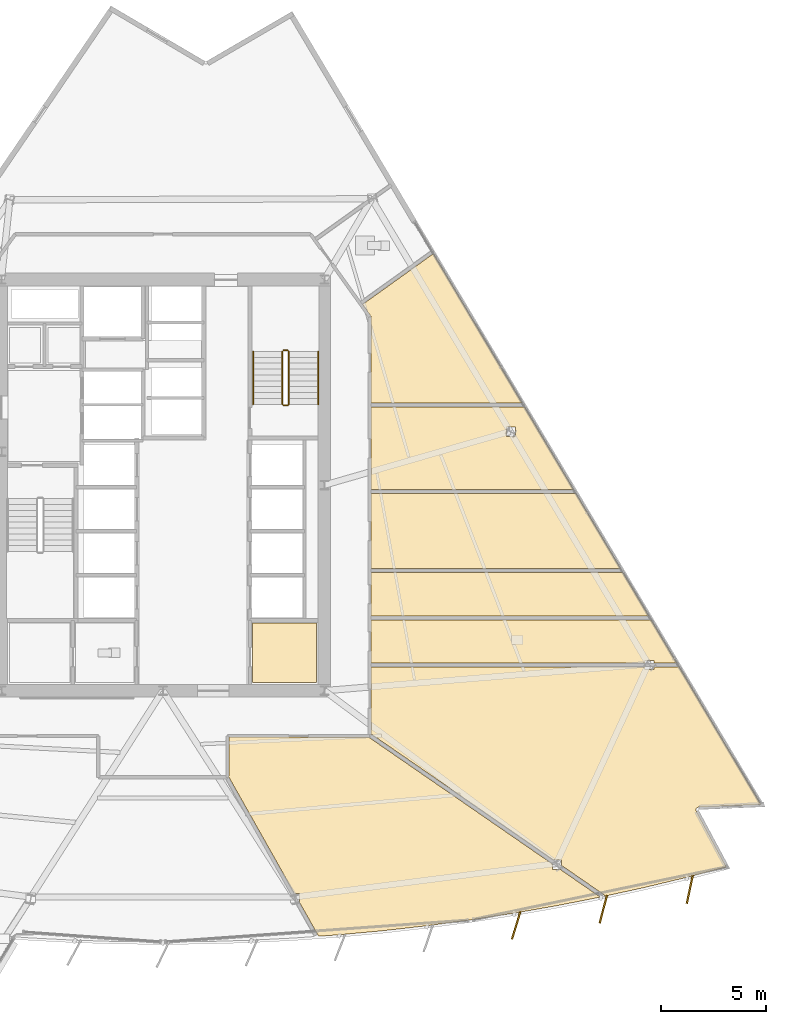
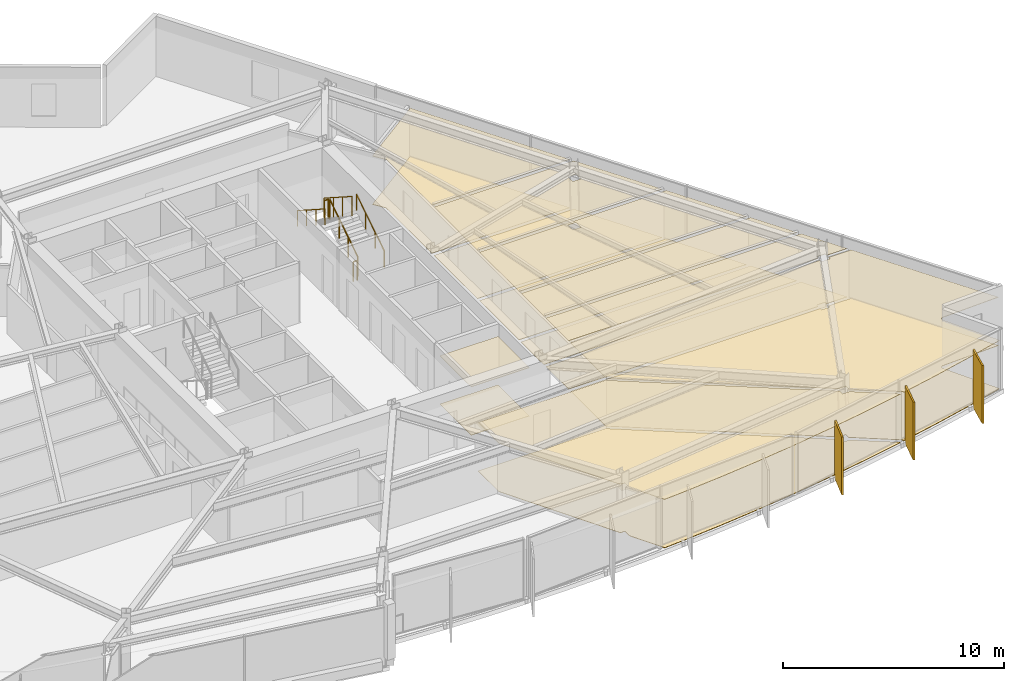
# One storey, part 13 of 15: 16 coverings, 6 railings, 3 shading devices.
"""IFC4 building model written with IfcOpenShell, lengths in metres."""

import ifcopenshell
import ifcopenshell.guid

model = None  # the IFC model being written
_history = None  # IfcOwnerHistory: only IFC2X3 demands one
_inside = {}  # id of a spatial element -> (the spatial element, [elements in it])
_under = {}  # id of a project, library or spatial element -> (it, [spatial elements below it])
_declared = {}  # id of a project -> (the project, [libraries it declares])
_typed = {}  # id of a type object -> (the type object, [elements of that type])
_made_of = {}  # id of a material, layer set ... -> (it, [elements and type objects made of it])


def new_model(schema):
    """Start an empty IFC model of exactly this schema.

    Asked for "IFC4X3", IfcOpenShell would pick the latest addendum, in which some entities
    have other attributes; the version numbers below select the first issue.
    IFC2X3 requires an IfcOwnerHistory on every rooted entity: one is made here for all.
    """
    global model, _history
    if schema == "IFC4X3":
        model = ifcopenshell.file(schema_version=(4, 3, 0, 0))
    else:
        model = ifcopenshell.file(schema=schema)
    _inside.clear()
    _under.clear()
    _declared.clear()
    _typed.clear()
    _made_of.clear()
    _history = None
    if model.schema == "IFC2X3":
        org = make("IfcOrganization", Name="unknown")
        user = make(
            "IfcPersonAndOrganization",
            ThePerson=make("IfcPerson", FamilyName="unknown"),
            TheOrganization=org,
        )
        app = make(
            "IfcApplication",
            ApplicationDeveloper=org,
            Version="unknown",
            ApplicationFullName="unknown",
            ApplicationIdentifier="unknown",
        )
        _history = make(
            "IfcOwnerHistory",
            OwningUser=user,
            OwningApplication=app,
            ChangeAction="ADDED",
            CreationDate=0,
        )
    return model


def make(cls, **values):
    """One entity of the class cls with the attributes given. An attribute that is None is left unset."""
    return model.create_entity(
        cls, **{name: value for name, value in values.items() if value is not None}
    )


def rooted(cls, **values):
    """An entity with a GlobalId (a new one), such as an element, a storey or a relation."""
    return make(cls, GlobalId=ifcopenshell.guid.new(), OwnerHistory=_history, **values)


def si_unit(unit_type, name, prefix=None):
    """IfcSIUnit, for example si_unit("LENGTHUNIT", "METRE", prefix="MILLI")."""
    return make("IfcSIUnit", UnitType=unit_type, Prefix=prefix, Name=name)


def assignment(units):
    """IfcUnitAssignment: the units of a project."""
    return None if units is None else make("IfcUnitAssignment", Units=units)


def point(xyz):
    """IfcCartesianPoint."""
    return None if xyz is None else make("IfcCartesianPoint", Coordinates=xyz)


def direction(xyz):
    """IfcDirection."""
    return None if xyz is None else make("IfcDirection", DirectionRatios=xyz)


def frame(location, z_axis=None, x_axis=None):
    """IfcAxis2Placement3D, a coordinate frame: its origin and axes. An axis left out is left unset."""
    return make(
        "IfcAxis2Placement3D",
        Location=point(location),
        Axis=direction(z_axis),
        RefDirection=direction(x_axis),
    )


def frame_2d(location, x_axis=None):
    """IfcAxis2Placement2D, a coordinate frame in the plane: its origin and x axis."""
    return make(
        "IfcAxis2Placement2D", Location=point(location), RefDirection=direction(x_axis)
    )


def origin():
    """The frame at (0, 0, 0) with its axes left unset."""
    return frame((0.0, 0.0, 0.0))


def origin_2d():
    """The frame at (0, 0) in the plane with its x axis left unset."""
    return frame_2d((0.0, 0.0))


def place(relative_to, where):
    """IfcLocalPlacement: puts the frame where relative to a parent placement (None: the world)."""
    return make(
        "IfcLocalPlacement", PlacementRelTo=relative_to, RelativePlacement=where
    )


def context(
    kind, dimensions, precision=None, world=None, true_north=None, identifier=None
):
    """IfcGeometricRepresentationContext, for example the 3D "Model" context."""
    return make(
        "IfcGeometricRepresentationContext",
        ContextIdentifier=identifier,
        ContextType=kind,
        CoordinateSpaceDimension=dimensions,
        Precision=precision,
        WorldCoordinateSystem=world,
        TrueNorth=true_north,
    )


def subcontext(parent, identifier, kind, view, scale=None):
    """IfcGeometricRepresentationSubContext, for example "Body" below "Model"."""
    return make(
        "IfcGeometricRepresentationSubContext",
        ContextIdentifier=identifier,
        ContextType=kind,
        ParentContext=parent,
        TargetScale=scale,
        TargetView=view,
    )


def project(units=None, contexts=None):
    """IfcProject with its units and contexts."""
    return rooted(
        "IfcProject",
        Name="project",
        RepresentationContexts=contexts,
        UnitsInContext=assignment(units),
    )


def spatial(cls, under=None, at=None, **own):
    """A site, building, storey or space (cls), placed at a placement, below another one or the project."""
    s = rooted(cls, ObjectPlacement=at, **own)
    if under is not None:
        _under.setdefault(under.id(), (under, []))[1].append(s)
    return s


def polyline(points):
    """IfcPolyline through the points."""
    return make("IfcPolyline", Points=[point(p) for p in points])


def profile(cls, at=None, kind="AREA", **sizes):
    """A parametric profile (cls). Its sizes go by their IFC names, for example OverallWidth=200.0."""
    return make(cls, ProfileType=kind, Position=at, **sizes)


def rectangle(**sizes):
    """IfcRectangleProfileDef."""
    return profile("IfcRectangleProfileDef", **sizes)


def circle(**sizes):
    """IfcCircleProfileDef."""
    return profile("IfcCircleProfileDef", **sizes)


def outline(outer, holes=None, kind="AREA"):
    """IfcArbitraryClosedProfileDef: a profile drawn as a closed curve; with holes, ...WithVoids."""
    if holes is None:
        return make("IfcArbitraryClosedProfileDef", ProfileType=kind, OuterCurve=outer)
    return make(
        "IfcArbitraryProfileDefWithVoids",
        ProfileType=kind,
        OuterCurve=outer,
        InnerCurves=holes,
    )


def extrude(swept, where, along, depth):
    """IfcExtrudedAreaSolid: the profile swept, set in the frame where, extruded along a direction by depth."""
    return make(
        "IfcExtrudedAreaSolid",
        SweptArea=swept,
        Position=where,
        ExtrudedDirection=direction(along),
        Depth=depth,
    )


def shape(context_of_items, identifier, shape_type, items):
    """IfcShapeRepresentation: the items that make up one representation, for example the "Body"."""
    return make(
        "IfcShapeRepresentation",
        ContextOfItems=context_of_items,
        RepresentationIdentifier=identifier,
        RepresentationType=shape_type,
        Items=items,
    )


def material(Name=None, Category=None):
    """IfcMaterial."""
    return make("IfcMaterial", Name=Name, Category=Category)


def layer(
    of_material, thickness, ventilated=None, Name=None, Category=None, Priority=None
):
    """IfcMaterialLayer: one layer of a wall or slab, of a material (None: an air gap)."""
    return make(
        "IfcMaterialLayer",
        Material=of_material,
        LayerThickness=thickness,
        IsVentilated=ventilated,
        Name=Name,
        Category=Category,
        Priority=Priority,
    )


def layer_set(layers, Name=None):
    """IfcMaterialLayerSet."""
    return make("IfcMaterialLayerSet", MaterialLayers=layers, LayerSetName=Name)


def made_of(thing, what):
    """Note that an element or type object is made of a material, layer set ...; save() writes the relation."""
    if what is not None:
        _made_of.setdefault(what.id(), (what, []))[1].append(thing)
    return thing


def type_object(cls, material=None, **own):
    """A type object (cls), such as IfcWallType, which elements share."""
    return made_of(rooted(cls, **own), material)


def element(
    cls,
    number,
    at=None,
    inside=None,
    cuts=None,
    type_object=None,
    material=None,
    context=None,
    identifier="Body",
    shape_type=None,
    held_by="IfcProductDefinitionShape",
    body=None,
    shapes=None,
    **own,
):
    """One element of the class cls, such as IfcWall. Its Tag is "e" and its number.

    at: its placement. inside: the storey or other place that contains it. cuts: it is an
    opening in that element (IfcRelVoidsElement). A single representation is given by context,
    identifier, shape_type and body (its items); several are given by shapes. held_by: the class
    of the entity that holds the representations. save() writes the other relations.
    """
    e = rooted(cls, Tag="e%d" % number, ObjectPlacement=at, **own)
    if body is not None:
        shapes = [shape(context, identifier, shape_type, body)]
    if shapes is not None:
        e.Representation = make(held_by, Representations=shapes)
    if inside is not None:
        _inside.setdefault(inside.id(), (inside, []))[1].append(e)
    if cuts is not None:
        rooted(
            "IfcRelVoidsElement", RelatingBuildingElement=cuts, RelatedOpeningElement=e
        )
    if type_object is not None:
        _typed.setdefault(type_object.id(), (type_object, []))[1].append(e)
    return made_of(e, material)


def aggregate(whole, parts):
    """IfcRelAggregates: a whole, such as a stair, and the parts it consists of."""
    return rooted("IfcRelAggregates", RelatingObject=whole, RelatedObjects=parts)


def save(model, path):
    """Write the relations noted so far, then the file.

    IfcRelAggregates (storeys below a building ...), IfcRelContainedInSpatialStructure (elements
    in a storey), IfcRelDefinesByType, IfcRelAssociatesMaterial and IfcRelDeclares: one each for
    every whole, place, type object, material and project.
    """
    for whole, parts in _under.values():
        aggregate(whole, parts)
    for where, things in _inside.values():
        rooted(
            "IfcRelContainedInSpatialStructure",
            RelatedElements=things,
            RelatingStructure=where,
        )
    for kind, things in _typed.values():
        rooted("IfcRelDefinesByType", RelatedObjects=things, RelatingType=kind)
    for what, things in _made_of.values():
        rooted("IfcRelAssociatesMaterial", RelatedObjects=things, RelatingMaterial=what)
    for by, libraries in _declared.values():
        rooted("IfcRelDeclares", RelatingContext=by, RelatedDefinitions=libraries)
    model.write(path)


model = new_model("IFC4")

# Units and contexts
model_context = context("Model", 3, precision=1e-05, world=origin(), true_north=direction((0.0, 1.0)))
body_context = subcontext(model_context, "Body", "Model", "MODEL_VIEW")
ifc_project = project(units=[si_unit("LENGTHUNIT", "METRE"), si_unit("AREAUNIT", "SQUARE_METRE"), si_unit("VOLUMEUNIT", "CUBIC_METRE"), si_unit("PLANEANGLEUNIT", "RADIAN"), si_unit("MASSUNIT", "GRAM", prefix="KILO")], contexts=[model_context])

# Site, building, storey
site_placement = place(None, origin())
site = spatial("IfcSite", under=ifc_project, at=site_placement, CompositionType="ELEMENT")
building_placement = place(site_placement, origin())
building = spatial("IfcBuilding", under=site, at=building_placement, Name="Savorim Split Tower", CompositionType="ELEMENT")
storey_placement = place(building_placement, frame((0.0, 0.0, 104.10009765625)))
storey = spatial("IfcBuildingStorey", under=building, at=storey_placement, Name="L27", CompositionType="ELEMENT", Elevation=104.10009765625)

# Coverings
ifc_material_1 = material(Name="Mineral Fibre Acoustic Ceiling")
ifc_layer_1 = layer(ifc_material_1, 0.02490234375)
ifc_layer_set_1 = layer_set([ifc_layer_1], Name="COV-CEIL-25")
covering_type_1 = type_object("IfcCoveringType", Name="COV-CEIL-25", PredefinedType="CEILING", material=ifc_layer_set_1)
covering_1_placement = place(storey_placement, frame((0.0, 0.0, 2.669921875)))
element("IfcCovering", 1, at=covering_1_placement, inside=storey, type_object=covering_type_1, Name="L27 Core IT Server Room Acoustic Ceiling", PredefinedType="CEILING", context=body_context, shape_type="SweptSolid", body=[
    extrude(outline(polyline([(4.280029296875, -6.179931640625), (4.280029296875, -9.02001953125), (7.320068359375, -9.02001953125), (7.320068359375, -6.179931640625), (4.280029296875, -6.179931640625)])), origin(), (0.0, 0.0, 1.0), 0.02490234375),
])
covering_2_placement = place(storey_placement, frame((0.0, 0.0, 2.669921875)))
element("IfcCovering", 2, at=covering_2_placement, inside=storey, type_object=covering_type_1, Name="L27 Quiet Study Room Acoustic Ceiling", PredefinedType="CEILING", context=body_context, shape_type="SweptSolid", body=[
    extrude(outline(polyline([(12.58056640625, -20.607421875), (14.6640625, -20.32861328125), (16.7412109375, -20.00732421875), (18.8115234375, -19.6435546875), (20.85546875, -19.2412109375), (18.943115234375, -17.920654296875), (18.57373046875, -17.920654296875), (18.57373046875, -17.665283203125), (9.84228515625, -11.635986328125), (9.813232421875, -11.61572265625), (9.807373046875, -11.6171875), (9.793701171875, -11.619384765625), (9.780029296875, -11.6201171875), (3.139892578125, -11.6201171875), (3.139892578125, -13.449951171875), (3.139404296875, -13.463623046875), (3.13720703125, -13.477294921875), (3.134033203125, -13.490478515625), (3.1318359375, -13.49658203125), (6.280517578125, -19.079345703125), (6.511474609375, -19.079345703125), (6.511474609375, -19.48876953125), (7.374755859375, -21.01953125), (7.42138671875, -21.102294921875), (7.411865234375, -21.107666015625), (8.398681640625, -21.036865234375), (10.49169921875, -20.843505859375), (12.58056640625, -20.607421875)])), origin(), (0.0, 0.0, 1.0), 0.02490234375),
])
covering_3_placement = place(storey_placement, frame((0.0, 0.0, 2.669921875)))
element("IfcCovering", 3, at=covering_3_placement, inside=storey, type_object=covering_type_1, Name="L27 Quiet Study Room Acoustic Ceiling", PredefinedType="CEILING", context=body_context, shape_type="SweptSolid", body=[
    extrude(outline(polyline([(25.5009765625, -14.956298828125), (25.51220703125, -14.9541015625), (25.523681640625, -14.952880859375), (28.506591796875, -14.826171875), (24.587158203125, -8.234619140625), (24.587158203125, -8.267578125), (23.408203125, -8.267578125), (23.408203125, -8.39501953125), (22.97900390625, -8.39501953125), (22.97900390625, -8.267578125), (9.919921875, -8.267578125), (9.919921875, -11.45849609375), (18.63330078125, -17.4755859375), (19.002685546875, -17.4755859375), (19.002685546875, -17.730712890625), (20.980712890625, -19.0966796875), (21.058837890625, -19.150634765625), (21.02099609375, -19.205322265625), (22.927490234375, -18.789306640625), (24.9716796875, -18.29931640625), (26.85888671875, -17.8056640625), (25.423095703125, -15.129638671875), (25.418212890625, -15.119140625), (25.414306640625, -15.1083984375), (25.411376953125, -15.09716796875), (25.409423828125, -15.085693359375), (25.40869140625, -15.07421875), (25.4091796875, -15.062744140625), (25.410888671875, -15.05126953125), (25.413330078125, -15.0400390625), (25.4169921875, -15.029052734375), (25.421875, -15.0185546875), (25.427490234375, -15.008544921875), (25.43408203125, -14.9990234375), (25.441650390625, -14.990478515625), (25.449951171875, -14.982421875), (25.458984375, -14.97509765625), (25.46875, -14.968994140625), (25.47900390625, -14.963623046875), (25.48974609375, -14.95947265625), (25.5009765625, -14.956298828125)])), origin(), (0.0, 0.0, 1.0), 0.02490234375),
])
covering_4_placement = place(storey_placement, frame((0.0, 0.0, 2.669921875)))
element("IfcCovering", 4, at=covering_4_placement, inside=storey, type_object=covering_type_1, Name="L27 Community Laundry Room Acoustic Ceiling", PredefinedType="CEILING", context=body_context, shape_type="SweptSolid", body=[
    extrude(outline(polyline([(23.408203125, -7.949951171875), (23.408203125, -8.077392578125), (24.4921875, -8.077392578125), (24.49365234375, -8.077392578125), (23.2705078125, -6.02001953125), (9.919921875, -6.02001953125), (9.919921875, -8.077392578125), (22.97900390625, -8.077392578125), (22.97900390625, -7.949951171875), (23.408203125, -7.949951171875)])), origin(), (0.0, 0.0, 1.0), 0.02490234375),
])
covering_5_placement = place(storey_placement, frame((0.0, 0.0, 2.669921875)))
element("IfcCovering", 5, at=covering_5_placement, inside=storey, type_object=covering_type_1, Name="L27 Co-Living Bedroom Acoustic Ceiling", PredefinedType="CEILING", context=body_context, shape_type="SweptSolid", body=[
    extrude(outline(polyline([(23.157470703125, -5.830078125), (21.93408203125, -3.772705078125), (9.919921875, -3.772705078125), (9.919921875, -5.830078125), (23.157470703125, -5.830078125)])), origin(), (0.0, 0.0, 1.0), 0.02490234375),
])
covering_6_placement = place(storey_placement, frame((0.0, 0.0, 2.669921875)))
element("IfcCovering", 6, at=covering_6_placement, inside=storey, type_object=covering_type_1, Name="L27 Quiet Study Room Acoustic Ceiling", PredefinedType="CEILING", context=body_context, shape_type="SweptSolid", body=[
    extrude(outline(polyline([(21.821044921875, -3.582763671875), (19.696044921875, -0.009033203125), (9.919921875, -0.009033203125), (9.919921875, -3.582763671875), (21.821044921875, -3.582763671875)])), origin(), (0.0, 0.0, 1.0), 0.02490234375),
])
covering_7_placement = place(storey_placement, frame((0.0, 0.0, 2.669921875)))
element("IfcCovering", 7, at=covering_7_placement, inside=storey, type_object=covering_type_1, Name="L27 Quiet Study Room Acoustic Ceiling", PredefinedType="CEILING", context=body_context, shape_type="SweptSolid", body=[
    extrude(outline(polyline([(19.5830078125, 0.180908203125), (17.24072265625, 4.1201171875), (9.919921875, 4.1201171875), (9.919921875, 0.180908203125), (19.5830078125, 0.180908203125)]), holes=[polyline([(16.800048828125, 2.718017578125), (16.800048828125, 3.1630859375), (16.37109375, 3.1630859375), (16.37109375, 2.718017578125), (16.800048828125, 2.718017578125)])]), origin(), (0.0, 0.0, 1.0), 0.02490234375),
])
covering_8_placement = place(storey_placement, frame((0.0, 0.0, 2.669921875)))
element("IfcCovering", 8, at=covering_8_placement, inside=storey, type_object=covering_type_1, Name="L27 Co-Living Bedroom Acoustic Ceiling", PredefinedType="CEILING", context=body_context, shape_type="SweptSolid", body=[
    extrude(outline(polyline([(9.9169921875, 8.4287109375), (9.919189453125, 8.41455078125), (9.919921875, 8.39990234375), (9.919921875, 4.31005859375), (17.127685546875, 4.31005859375), (12.8935546875, 11.430908203125), (9.514892578125, 9.01025390625), (9.893798828125, 8.4814453125), (9.901611328125, 8.46923828125), (9.908203125, 8.456298828125), (9.913330078125, 8.44287109375), (9.9169921875, 8.4287109375)])), origin(), (0.0, 0.0, 1.0), 0.02490234375),
])
ifc_material_2 = material(Name="Porcelain Stoneware Flooring", Category="masonry")
ifc_layer_2 = layer(ifc_material_2, 0.02001953125)
ifc_layer_set_2 = layer_set([ifc_layer_2], Name="COV-FLOR-20")
covering_type_2 = type_object("IfcCoveringType", Name="COV-FLOR-20", PredefinedType="FLOORING", material=ifc_layer_set_2)
covering_9_placement = place(storey_placement, origin())
element("IfcCovering", 9, at=covering_9_placement, inside=storey, type_object=covering_type_2, Name="L27 Core IT Server Room Porcelain Flooring", PredefinedType="FLOORING", context=body_context, shape_type="SweptSolid", body=[
    extrude(outline(polyline([(4.280029296875, -6.179931640625), (4.280029296875, -9.02001953125), (7.320068359375, -9.02001953125), (7.320068359375, -6.179931640625), (4.280029296875, -6.179931640625)])), origin(), (0.0, 0.0, 1.0), 0.02001953125),
])
covering_10_placement = place(storey_placement, origin())
element("IfcCovering", 10, at=covering_10_placement, inside=storey, type_object=covering_type_2, Name="L27 Quiet Study Room Porcelain Flooring", PredefinedType="FLOORING", context=body_context, shape_type="SweptSolid", body=[
    extrude(outline(polyline([(12.58056640625, -20.607421875), (14.6640625, -20.32861328125), (16.7412109375, -20.00732421875), (18.8115234375, -19.6435546875), (20.85546875, -19.2412109375), (18.943115234375, -17.920654296875), (18.57373046875, -17.920654296875), (18.57373046875, -17.665283203125), (9.84228515625, -11.635986328125), (9.813232421875, -11.61572265625), (9.807373046875, -11.6171875), (9.793701171875, -11.619384765625), (9.780029296875, -11.6201171875), (3.139892578125, -11.6201171875), (3.139892578125, -13.449951171875), (3.139404296875, -13.463623046875), (3.13720703125, -13.477294921875), (3.134033203125, -13.490478515625), (3.1318359375, -13.49658203125), (6.280517578125, -19.079345703125), (6.511474609375, -19.079345703125), (6.511474609375, -19.48876953125), (7.374755859375, -21.01953125), (7.42138671875, -21.102294921875), (7.411865234375, -21.107666015625), (8.398681640625, -21.036865234375), (10.49169921875, -20.843505859375), (12.58056640625, -20.607421875)])), origin(), (0.0, 0.0, 1.0), 0.02001953125),
])
covering_11_placement = place(storey_placement, origin())
element("IfcCovering", 11, at=covering_11_placement, inside=storey, type_object=covering_type_2, Name="L27 Quiet Study Room Porcelain Flooring", PredefinedType="FLOORING", context=body_context, shape_type="SweptSolid", body=[
    extrude(outline(polyline([(25.5009765625, -14.956298828125), (25.51220703125, -14.9541015625), (25.523681640625, -14.952880859375), (28.506591796875, -14.826171875), (24.587158203125, -8.234619140625), (24.587158203125, -8.267578125), (23.408203125, -8.267578125), (23.408203125, -8.39501953125), (22.97900390625, -8.39501953125), (22.97900390625, -8.267578125), (9.919921875, -8.267578125), (9.919921875, -11.45849609375), (18.63330078125, -17.4755859375), (19.002685546875, -17.4755859375), (19.002685546875, -17.730712890625), (20.980712890625, -19.0966796875), (21.058837890625, -19.150634765625), (21.02099609375, -19.205322265625), (22.927490234375, -18.789306640625), (24.9716796875, -18.29931640625), (26.85888671875, -17.8056640625), (25.423095703125, -15.129638671875), (25.418212890625, -15.119140625), (25.414306640625, -15.1083984375), (25.411376953125, -15.09716796875), (25.409423828125, -15.085693359375), (25.40869140625, -15.07421875), (25.4091796875, -15.062744140625), (25.410888671875, -15.05126953125), (25.413330078125, -15.0400390625), (25.4169921875, -15.029052734375), (25.421875, -15.0185546875), (25.427490234375, -15.008544921875), (25.43408203125, -14.9990234375), (25.441650390625, -14.990478515625), (25.449951171875, -14.982421875), (25.458984375, -14.97509765625), (25.46875, -14.968994140625), (25.47900390625, -14.963623046875), (25.48974609375, -14.95947265625), (25.5009765625, -14.956298828125)])), origin(), (0.0, 0.0, 1.0), 0.02001953125),
])
covering_12_placement = place(storey_placement, origin())
element("IfcCovering", 12, at=covering_12_placement, inside=storey, type_object=covering_type_2, Name="L27 Community Laundry Room Porcelain Flooring", PredefinedType="FLOORING", context=body_context, shape_type="SweptSolid", body=[
    extrude(outline(polyline([(23.408203125, -7.949951171875), (23.408203125, -8.077392578125), (24.4921875, -8.077392578125), (24.49365234375, -8.077392578125), (23.2705078125, -6.02001953125), (9.919921875, -6.02001953125), (9.919921875, -8.077392578125), (22.97900390625, -8.077392578125), (22.97900390625, -7.949951171875), (23.408203125, -7.949951171875)])), origin(), (0.0, 0.0, 1.0), 0.02001953125),
])
covering_13_placement = place(storey_placement, origin())
element("IfcCovering", 13, at=covering_13_placement, inside=storey, type_object=covering_type_2, Name="L27 Co-Living Bedroom Porcelain Flooring", PredefinedType="FLOORING", context=body_context, shape_type="SweptSolid", body=[
    extrude(outline(polyline([(23.157470703125, -5.830078125), (21.93408203125, -3.772705078125), (9.919921875, -3.772705078125), (9.919921875, -5.830078125), (23.157470703125, -5.830078125)])), origin(), (0.0, 0.0, 1.0), 0.02001953125),
])
covering_14_placement = place(storey_placement, origin())
element("IfcCovering", 14, at=covering_14_placement, inside=storey, type_object=covering_type_2, Name="L27 Quiet Study Room Porcelain Flooring", PredefinedType="FLOORING", context=body_context, shape_type="SweptSolid", body=[
    extrude(outline(polyline([(21.821044921875, -3.582763671875), (19.696044921875, -0.009033203125), (9.919921875, -0.009033203125), (9.919921875, -3.582763671875), (21.821044921875, -3.582763671875)])), origin(), (0.0, 0.0, 1.0), 0.02001953125),
])
covering_15_placement = place(storey_placement, origin())
element("IfcCovering", 15, at=covering_15_placement, inside=storey, type_object=covering_type_2, Name="L27 Quiet Study Room Porcelain Flooring", PredefinedType="FLOORING", context=body_context, shape_type="SweptSolid", body=[
    extrude(outline(polyline([(19.5830078125, 0.180908203125), (17.24072265625, 4.1201171875), (9.919921875, 4.1201171875), (9.919921875, 0.180908203125), (19.5830078125, 0.180908203125)]), holes=[polyline([(16.800048828125, 2.718017578125), (16.800048828125, 3.1630859375), (16.37109375, 3.1630859375), (16.37109375, 2.718017578125), (16.800048828125, 2.718017578125)])]), origin(), (0.0, 0.0, 1.0), 0.02001953125),
])
covering_16_placement = place(storey_placement, origin())
element("IfcCovering", 16, at=covering_16_placement, inside=storey, type_object=covering_type_2, Name="L27 Co-Living Bedroom Porcelain Flooring", PredefinedType="FLOORING", context=body_context, shape_type="SweptSolid", body=[
    extrude(outline(polyline([(9.9169921875, 8.4287109375), (9.919189453125, 8.41455078125), (9.919921875, 8.39990234375), (9.919921875, 4.31005859375), (17.127685546875, 4.31005859375), (12.8935546875, 11.430908203125), (9.514892578125, 9.01025390625), (9.893798828125, 8.4814453125), (9.901611328125, 8.46923828125), (9.908203125, 8.456298828125), (9.913330078125, 8.44287109375), (9.9169921875, 8.4287109375)])), origin(), (0.0, 0.0, 1.0), 0.02001953125),
])

# Railings
ifc_material_3 = material(Name="Galvanised Painted Steel Balustrade", Category="steel")
railing_type_1 = type_object("IfcRailingType", Name="RLG-HR-900", PredefinedType="HANDRAIL", material=ifc_material_3)
railing_1_placement = place(storey_placement, frame((7.39990234375, 4.25, 0.179931640625)))
element("IfcRailing", 17, at=railing_1_placement, inside=storey, type_object=railing_type_1, Name="L27 ST-2 stair handrail 1", PredefinedType="HANDRAIL", context=body_context, shape_type="SweptSolid", body=[
    extrude(circle(Radius=0.02392578125, at=origin_2d()), frame((0.0, 0.0, 0.8759765625), z_axis=(0.0, 0.841199657755, 0.540724639528), x_axis=(-1.0, 0.0, 0.0)), (0.0, 0.0, 1.0), 2.995849609375),
    extrude(circle(Radius=0.02099609375, at=origin_2d()), origin(), (0.0, 0.0, 1.0), 0.851806640625),
    extrude(circle(Radius=0.02099609375, at=origin_2d()), frame((0.0, 0.840087890625, 0.5400390625)), (0.0, 0.0, 1.0), 0.851806640625),
    extrude(circle(Radius=0.02099609375, at=origin_2d()), frame((0.0, 1.679931640625, 1.079833984375)), (0.0, 0.0, 1.0), 0.851806640625),
    extrude(circle(Radius=0.02099609375, at=origin_2d()), frame((0.0, 2.52001953125, 1.619873046875)), (0.0, 0.0, 1.0), 0.851806640625),
])
railing_2_placement = place(storey_placement, frame((4.300048828125, 6.77001953125, 1.97998046875)))
element("IfcRailing", 18, at=railing_2_placement, inside=storey, type_object=railing_type_1, Name="L27 ST-2 stair handrail 2", PredefinedType="HANDRAIL", context=body_context, shape_type="SweptSolid", body=[
    extrude(circle(Radius=0.02392578125, at=origin_2d()), frame((0.0, 0.0, 0.8759765625), z_axis=(0.0, -0.841199657755, 0.540724639528), x_axis=(1.0, 0.0, 0.0)), (0.0, 0.0, 1.0), 2.995849609375),
    extrude(circle(Radius=0.02099609375, at=origin_2d()), origin(), (0.0, 0.0, 1.0), 0.851806640625),
    extrude(circle(Radius=0.02099609375, at=origin_2d()), frame((0.0, -0.840087890625, 0.5400390625)), (0.0, 0.0, 1.0), 0.851806640625),
    extrude(circle(Radius=0.02099609375, at=origin_2d()), frame((0.0, -1.679931640625, 1.079833984375)), (0.0, 0.0, 1.0), 0.851806640625),
    extrude(circle(Radius=0.02099609375, at=origin_2d()), frame((0.0, -2.52001953125, 1.619873046875)), (0.0, 0.0, 1.0), 0.851806640625),
])
railing_type_2 = type_object("IfcRailingType", Name="RLG-STG-1100", PredefinedType="BALUSTRADE", material=ifc_material_3)
railing_3_placement = place(storey_placement, frame((6.0, 4.25, 0.179931640625)))
element("IfcRailing", 19, at=railing_3_placement, inside=storey, type_object=railing_type_2, Name="L27 ST-2 stair guard 1", PredefinedType="BALUSTRADE", context=body_context, shape_type="SweptSolid", body=[
    extrude(circle(Radius=0.02392578125, at=origin_2d()), frame((0.0, 0.0, 1.076171875), z_axis=(0.0, 0.841199657755, 0.540724639528), x_axis=(-1.0, 0.0, 0.0)), (0.0, 0.0, 1.0), 2.995849609375),
    extrude(circle(Radius=0.02099609375, at=origin_2d()), origin(), (0.0, 0.0, 1.0), 1.052001953125),
    extrude(circle(Radius=0.02099609375, at=origin_2d()), frame((0.0, 0.840087890625, 0.5400390625)), (0.0, 0.0, 1.0), 1.052001953125),
    extrude(circle(Radius=0.02099609375, at=origin_2d()), frame((0.0, 1.679931640625, 1.079833984375)), (0.0, 0.0, 1.0), 1.052001953125),
    extrude(circle(Radius=0.02099609375, at=origin_2d()), frame((0.0, 2.52001953125, 1.619873046875)), (0.0, 0.0, 1.0), 1.052001953125),
])
railing_4_placement = place(storey_placement, frame((5.949951171875, 6.820068359375, 1.7998046875)))
element("IfcRailing", 20, at=railing_4_placement, inside=storey, type_object=railing_type_2, Name="L27 ST-2 stair guard 2", PredefinedType="BALUSTRADE", context=body_context, shape_type="SweptSolid", body=[
    extrude(circle(Radius=0.02392578125, at=origin_2d()), frame((0.0, 0.0, 1.076171875), z_axis=(-1.0, 0.0, 0.0), x_axis=(0.0, -1.0, 0.0)), (0.0, 0.0, 1.0), 0.199951171875),
    extrude(circle(Radius=0.02099609375, at=origin_2d()), origin(), (0.0, 0.0, 1.0), 1.052001953125),
    extrude(circle(Radius=0.02099609375, at=origin_2d()), frame((-0.199951171875, 0.0, 0.0)), (0.0, 0.0, 1.0), 1.052001953125),
])
railing_5_placement = place(storey_placement, frame((5.699951171875, 6.77001953125, 1.97998046875)))
element("IfcRailing", 21, at=railing_5_placement, inside=storey, type_object=railing_type_2, Name="L27 ST-2 stair guard 3", PredefinedType="BALUSTRADE", context=body_context, shape_type="SweptSolid", body=[
    extrude(circle(Radius=0.02392578125, at=origin_2d()), frame((0.0, 0.0, 1.076171875), z_axis=(0.0, -0.841199657755, 0.540724639528), x_axis=(1.0, 0.0, 0.0)), (0.0, 0.0, 1.0), 2.995849609375),
    extrude(circle(Radius=0.02099609375, at=origin_2d()), origin(), (0.0, 0.0, 1.0), 1.052001953125),
    extrude(circle(Radius=0.02099609375, at=origin_2d()), frame((0.0, -0.840087890625, 0.5400390625)), (0.0, 0.0, 1.0), 1.052001953125),
    extrude(circle(Radius=0.02099609375, at=origin_2d()), frame((0.0, -1.679931640625, 1.079833984375)), (0.0, 0.0, 1.0), 1.052001953125),
    extrude(circle(Radius=0.02099609375, at=origin_2d()), frame((0.0, -2.52001953125, 1.619873046875)), (0.0, 0.0, 1.0), 1.052001953125),
])
railing_6_placement = place(storey_placement, frame((5.949951171875, 4.199951171875, 0.0)))
element("IfcRailing", 22, at=railing_6_placement, inside=storey, type_object=railing_type_2, Name="L27 ST-2 stair guard 4", PredefinedType="BALUSTRADE", context=body_context, shape_type="SweptSolid", body=[
    extrude(circle(Radius=0.02392578125, at=origin_2d()), frame((0.0, 0.0, 1.076171875), z_axis=(-1.0, 0.0, 0.0), x_axis=(0.0, -1.0, 0.0)), (0.0, 0.0, 1.0), 0.199951171875),
    extrude(circle(Radius=0.02099609375, at=origin_2d()), origin(), (0.0, 0.0, 1.0), 1.052001953125),
    extrude(circle(Radius=0.02099609375, at=origin_2d()), frame((-0.199951171875, 0.0, 0.0)), (0.0, 0.0, 1.0), 1.052001953125),
])

# Shading devices
ifc_material_4 = material(Name="Terracotta Ceramic-Coated Aluminium Fin", Category="masonry")
shading_device_type = type_object("IfcShadingDeviceType", Name="SHD-FIN-1360", PredefinedType="USERDEFINED", material=ifc_material_4)
for number, where, z_axis, x_axis, name in (
    (23, (16.83837890625, -20.595458984375, -0.2001953125), (0.0, 0.0, 1.0), (-0.286026212504, -0.958221793616, 0.0), "L27 Sawtooth Shading Fin 11"),
    (24, (20.9951171875, -19.821044921875, -0.2001953125), (0.0, 0.0, 1.0), (-0.246581250663, -0.969122121727, 0.0), "L27 Sawtooth Shading Fin 12"),
    (25, (25.116455078125, -18.87744140625, -0.2001953125), (0.0, 0.0, 1.0), (-0.206721626106, -0.978399800337, 0.0), "L27 Sawtooth Shading Fin 13"),
):
    element("IfcShadingDevice", number, at=place(storey_placement, frame(where, z_axis=z_axis, x_axis=x_axis)), inside=storey, type_object=shading_device_type, Name=name, ObjectType="FIN", PredefinedType="USERDEFINED", context=body_context, shape_type="SweptSolid", body=[
        extrude(rectangle(XDim=1.360107421875, YDim=0.080078125, at=origin_2d()), origin(), (0.0, 0.0, 1.0), 3.199951171875),
    ])

save(model, "model.ifc")
